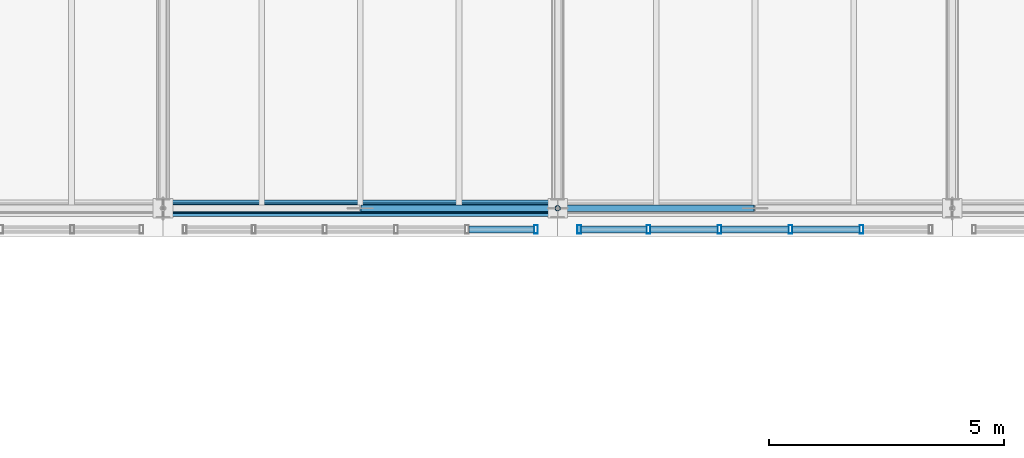
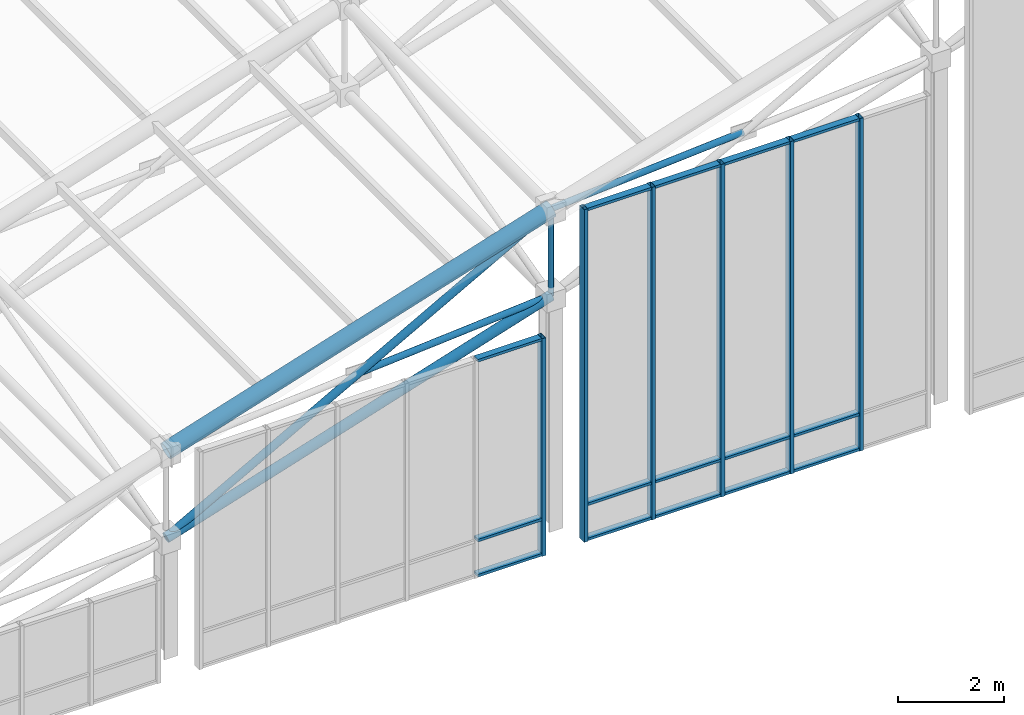
# One storey, part 17 of 144: 27 members, 2 elements without a shape of their own.
"""IFC4 building model written with IfcOpenShell, lengths in metres."""

from ifc_helpers import new_model, si_unit, direction, frame, origin, origin_2d, place, context, subcontext, project, spatial, hollow_rectangle, hollow_circle, extrude, material, layer, layer_set, material_profile, profile_set, type_object, element, aggregate, save


model = new_model("IFC4")

# Units and contexts
model_context = context("Model", 3, precision=1e-05, world=origin(), true_north=direction((0.0, 1.0)))
body_context = subcontext(model_context, "Body", "Model", "MODEL_VIEW")
ifc_project = project(units=[si_unit("LENGTHUNIT", "METRE"), si_unit("AREAUNIT", "SQUARE_METRE"), si_unit("VOLUMEUNIT", "CUBIC_METRE"), si_unit("PLANEANGLEUNIT", "RADIAN"), si_unit("MASSUNIT", "GRAM", prefix="KILO")], contexts=[model_context])

# Site, building, storey
site_placement = place(None, origin())
site = spatial("IfcSite", under=ifc_project, at=site_placement, CompositionType="ELEMENT")
building_placement = place(site_placement, origin())
building = spatial("IfcBuilding", under=site, at=building_placement, Name="Zayran Congress Hotel", CompositionType="ELEMENT")
storey_placement = place(building_placement, frame((0.0, 0.0, 19.199951171875)))
storey = spatial("IfcBuildingStorey", under=building, at=storey_placement, Name="L04", CompositionType="ELEMENT", Elevation=19.199951171875)

# Members
ifc_material_1 = material(Name="Steel S355", Category="steel")
ifc_material_profile_1 = material_profile(ifc_material_1, hollow_circle(Radius=0.177734375, WallThickness=0.01611328125, at=origin_2d()), Name="CHS 355.6x16")
ifc_profile_set_1 = profile_set([ifc_material_profile_1], Name="Steel S355")
member_type_1 = type_object("IfcMemberType", Name="TP-SF-TC1", PredefinedType="CHORD", material=ifc_profile_set_1)
member_1_placement = place(storey_placement, frame((16.800048828125, 68.199951171875, 4.652099609375), z_axis=(0.953670596398, 0.0, 0.300852777228), x_axis=(0.0, 1.0, 0.0)))
element("IfcMember", 1, at=member_1_placement, inside=storey, type_object=member_type_1, Name="Space Frame Top Chord X 60", PredefinedType="CHORD", context=body_context, shape_type="SweptSolid", body=[
    extrude(hollow_circle(Radius=0.177734375, WallThickness=0.01611328125, at=origin_2d()), origin(), (0.0, 0.0, 1.0), 8.807861328125),
])
ifc_material_profile_2 = material_profile(ifc_material_1, hollow_circle(Radius=0.109619140625, WallThickness=0.010009765625, at=origin_2d()), Name="CHS 219.1x10")
ifc_profile_set_2 = profile_set([ifc_material_profile_2], Name="Steel S355")
member_type_2 = type_object("IfcMemberType", Name="TP-SF-BC1", PredefinedType="CHORD", material=ifc_profile_set_2)
member_2_placement = place(storey_placement, frame((16.800048828125, 68.199951171875, 2.650146484375), z_axis=(0.953670596398, 0.0, 0.300852777228), x_axis=(0.0, 1.0, 0.0)))
element("IfcMember", 2, at=member_2_placement, inside=storey, type_object=member_type_2, Name="Space Frame Bottom Chord X 61", PredefinedType="CHORD", context=body_context, shape_type="SweptSolid", body=[
    extrude(hollow_circle(Radius=0.109619140625, WallThickness=0.010009765625, at=origin_2d()), origin(), (0.0, 0.0, 1.0), 8.807861328125),
])
ifc_material_profile_3 = material_profile(ifc_material_1, hollow_circle(Radius=0.084228515625, WallThickness=0.008056640625, at=origin_2d()), Name="CHS 168.3x8")
ifc_profile_set_3 = profile_set([ifc_material_profile_3], Name="Steel S355")
member_type_3 = type_object("IfcMemberType", Name="TP-SF-DG1", PredefinedType="BRACE", material=ifc_profile_set_3)
member_3_placement = place(storey_placement, frame((16.800048828125, 68.199951171875, 2.650146484375), z_axis=(0.87480892947, 0.0, 0.484468096905), x_axis=(0.0, 1.0, 0.0)))
element("IfcMember", 3, at=member_3_placement, inside=storey, type_object=member_type_3, Name="Space Frame Web Diagonal X 62", PredefinedType="BRACE", context=body_context, shape_type="SweptSolid", body=[
    extrude(hollow_circle(Radius=0.084228515625, WallThickness=0.008056640625, at=origin_2d()), origin(), (0.0, 0.0, 1.0), 9.60205078125),
])
ifc_material_profile_4 = material_profile(ifc_material_1, hollow_circle(Radius=0.06982421875, WallThickness=0.00634765625, at=origin_2d()), Name="CHS 139.7x6.3")
ifc_profile_set_4 = profile_set([ifc_material_profile_4], Name="Steel S355")
member_type_4 = type_object("IfcMemberType", Name="TP-SF-DG2", PredefinedType="BRACE", material=ifc_profile_set_4)
member_4_placement = place(storey_placement, frame((21.014892578125, 68.199951171875, 4.977294921875), z_axis=(0.997039412202, 0.0, 0.076892200614), x_axis=(0.0, 1.0, 0.0)))
element("IfcMember", 4, at=member_4_placement, inside=storey, type_object=member_type_4, Name="Space Frame Counter Diagonal X Lower 14", PredefinedType="BRACE", context=body_context, shape_type="SweptSolid", body=[
    extrude(hollow_circle(Radius=0.06982421875, WallThickness=0.00634765625, at=origin_2d()), origin(), (0.0, 0.0, 1.0), 4.197509765625),
])
member_5_placement = place(storey_placement, frame((25.199951171875, 68.199951171875, 7.302001953125), z_axis=(0.99747698019, 0.0, 0.07099066129), x_axis=(0.0, 1.0, 0.0)))
element("IfcMember", 5, at=member_5_placement, inside=storey, type_object=member_type_4, Name="Space Frame Counter Diagonal X Upper 116", PredefinedType="BRACE", context=body_context, shape_type="SweptSolid", body=[
    extrude(hollow_circle(Radius=0.06982421875, WallThickness=0.00634765625, at=origin_2d()), origin(), (0.0, 0.0, 1.0), 4.195556640625),
])
ifc_material_profile_5 = material_profile(ifc_material_1, hollow_circle(Radius=0.05712890625, WallThickness=0.00634765625, at=origin_2d()), Name="CHS 114.3x6.3")
ifc_profile_set_5 = profile_set([ifc_material_profile_5], Name="Steel S355")
member_type_5 = type_object("IfcMemberType", Name="TP-SF-DG3", PredefinedType="BRACE", material=ifc_profile_set_5)
member_6_placement = place(storey_placement, frame((25.199951171875, 68.199951171875, 5.300048828125), z_axis=(0.0, 0.0, 1.0), x_axis=(0.0, 1.0, 0.0)))
element("IfcMember", 6, at=member_6_placement, inside=storey, type_object=member_type_5, Name="Space Frame Web Strut 120", PredefinedType="BRACE", context=body_context, shape_type="SweptSolid", body=[
    extrude(hollow_circle(Radius=0.05712890625, WallThickness=0.00634765625, at=origin_2d()), origin(), (0.0, 0.0, 1.0), 2.001953125),
])

# Curtain wall, member
ifc_material_2 = material(Name="Anodised aluminium and low-E insulated glass", Category="aluminium")
ifc_layer_1 = layer(ifc_material_2, 0.179931640625)
ifc_layer_set_1 = layer_set([ifc_layer_1], Name="Anodised aluminium and low-E insulated glass")
curtain_wall_type_1 = type_object("IfcCurtainWallType", Name="CW-V1CL-L04-CW-12-7560-5020", PredefinedType="USERDEFINED", material=ifc_layer_set_1)
curtain_wall_1_placement = place(storey_placement, origin())
curtain_wall_1 = element("IfcCurtainWall", 7, at=curtain_wall_1_placement, inside=storey, type_object=curtain_wall_type_1, Name="CW-V1CLS-1", ObjectType="CURTAIN WALL", PredefinedType="USERDEFINED")
ifc_material_3 = material(Name="Anodised aluminium framing", Category="aluminium")
ifc_material_profile_6 = material_profile(ifc_material_3, hollow_rectangle(XDim=0.080078125, YDim=0.179931640625, WallThickness=0.0048828125, at=origin_2d()), Name="RHS 180x80x5")
ifc_profile_set_6 = profile_set([ifc_material_profile_6], Name="Anodised aluminium framing")
member_type_6 = type_object("IfcMemberType", Name="TP-CWM-01", PredefinedType="MULLION", material=ifc_profile_set_6)
member_7_placement = place(storey_placement, frame((24.739990234375, 67.75, -0.219970703125), z_axis=(0.0, 0.0, 1.0), x_axis=(1.0, 0.0, 0.0)))
member_7 = element("IfcMember", 8, at=member_7_placement, type_object=member_type_6, Name="CW-V1CLS-1-M05", PredefinedType="MULLION", context=body_context, shape_type="SweptSolid", body=[
    extrude(hollow_rectangle(XDim=0.080078125, YDim=0.179931640625, WallThickness=0.0048828125, at=origin_2d()), origin(), (0.0, 0.0, 1.0), 5.02001953125),
])

# Curtain wall, members
ifc_layer_2 = layer(ifc_material_2, 0.179931640625)
ifc_layer_set_2 = layer_set([ifc_layer_2], Name="Anodised aluminium and low-E insulated glass")
curtain_wall_type_2 = type_object("IfcCurtainWallType", Name="CW-V1CL-L04-CW-13-7560-7670", PredefinedType="USERDEFINED", material=ifc_layer_set_2)
curtain_wall_2_placement = place(storey_placement, origin())
curtain_wall_2 = element("IfcCurtainWall", 9, at=curtain_wall_2_placement, inside=storey, type_object=curtain_wall_type_2, Name="CW-V1CLS-2", ObjectType="CURTAIN WALL", PredefinedType="USERDEFINED")
member_8_placement = place(storey_placement, frame((25.659912109375, 67.75, -0.219970703125), z_axis=(0.0, 0.0, 1.0), x_axis=(1.0, 0.0, 0.0)))
member_8 = element("IfcMember", 10, at=member_8_placement, type_object=member_type_6, Name="CW-V1CLS-2-M00", PredefinedType="MULLION", context=body_context, shape_type="SweptSolid", body=[
    extrude(hollow_rectangle(XDim=0.080078125, YDim=0.179931640625, WallThickness=0.0048828125, at=origin_2d()), origin(), (0.0, 0.0, 1.0), 7.669921875),
])
member_9_placement = place(storey_placement, frame((27.132080078125, 67.75, -0.219970703125), z_axis=(0.0, 0.0, 1.0), x_axis=(1.0, 0.0, 0.0)))
member_9 = element("IfcMember", 11, at=member_9_placement, type_object=member_type_6, Name="CW-V1CLS-2-M01", PredefinedType="MULLION", context=body_context, shape_type="SweptSolid", body=[
    extrude(hollow_rectangle(XDim=0.080078125, YDim=0.179931640625, WallThickness=0.0048828125, at=origin_2d()), origin(), (0.0, 0.0, 1.0), 7.669921875),
])
member_10_placement = place(storey_placement, frame((28.64404296875, 67.75, -0.219970703125), z_axis=(0.0, 0.0, 1.0), x_axis=(1.0, 0.0, 0.0)))
member_10 = element("IfcMember", 12, at=member_10_placement, type_object=member_type_6, Name="CW-V1CLS-2-M02", PredefinedType="MULLION", context=body_context, shape_type="SweptSolid", body=[
    extrude(hollow_rectangle(XDim=0.080078125, YDim=0.179931640625, WallThickness=0.0048828125, at=origin_2d()), origin(), (0.0, 0.0, 1.0), 7.669921875),
])
member_11_placement = place(storey_placement, frame((30.156005859375, 67.75, -0.219970703125), z_axis=(0.0, 0.0, 1.0), x_axis=(1.0, 0.0, 0.0)))
member_11 = element("IfcMember", 13, at=member_11_placement, type_object=member_type_6, Name="CW-V1CLS-2-M03", PredefinedType="MULLION", context=body_context, shape_type="SweptSolid", body=[
    extrude(hollow_rectangle(XDim=0.080078125, YDim=0.179931640625, WallThickness=0.0048828125, at=origin_2d()), origin(), (0.0, 0.0, 1.0), 7.669921875),
])
member_12_placement = place(storey_placement, frame((31.66796875, 67.75, -0.219970703125), z_axis=(0.0, 0.0, 1.0), x_axis=(1.0, 0.0, 0.0)))
member_12 = element("IfcMember", 14, at=member_12_placement, type_object=member_type_6, Name="CW-V1CLS-2-M04", PredefinedType="MULLION", context=body_context, shape_type="SweptSolid", body=[
    extrude(hollow_rectangle(XDim=0.080078125, YDim=0.179931640625, WallThickness=0.0048828125, at=origin_2d()), origin(), (0.0, 0.0, 1.0), 7.669921875),
])

# Member
ifc_material_profile_7 = material_profile(ifc_material_3, hollow_rectangle(XDim=0.06005859375, YDim=0.14990234375, WallThickness=0.00390625, at=origin_2d()), Name="RHS 150x60x4")
ifc_profile_set_7 = profile_set([ifc_material_profile_7], Name="Anodised aluminium framing")
member_type_7 = type_object("IfcMemberType", Name="TP-CWT-01", PredefinedType="USERDEFINED", material=ifc_profile_set_7)
member_13_placement = place(storey_placement, frame((23.30810546875, 67.75, -0.18994140625), z_axis=(1.0, 0.0, 0.0), x_axis=(0.0, 0.0, 1.0)))
member_13 = element("IfcMember", 15, at=member_13_placement, type_object=member_type_7, Name="CW-V1CLS-1-T04-0", ObjectType="TRANSOM", PredefinedType="USERDEFINED", context=body_context, shape_type="SweptSolid", body=[
    extrude(hollow_rectangle(XDim=0.06005859375, YDim=0.14990234375, WallThickness=0.00390625, at=origin_2d()), origin(), (0.0, 0.0, 1.0), 1.391845703125),
])

member_14_placement = place(storey_placement, frame((23.30810546875, 67.75, 0.6201171875), z_axis=(1.0, 0.0, 0.0), x_axis=(0.0, 0.0, 1.0)))
member_14 = element("IfcMember", 16, at=member_14_placement, type_object=member_type_7, Name="CW-V1CLS-1-T04-1", ObjectType="TRANSOM", PredefinedType="USERDEFINED", context=body_context, shape_type="SweptSolid", body=[
    extrude(hollow_rectangle(XDim=0.06005859375, YDim=0.14990234375, WallThickness=0.00390625, at=origin_2d()), origin(), (0.0, 0.0, 1.0), 1.391845703125),
])

member_15_placement = place(storey_placement, frame((23.30810546875, 67.75, 4.77001953125), z_axis=(1.0, 0.0, 0.0), x_axis=(0.0, 0.0, 1.0)))
member_15 = element("IfcMember", 17, at=member_15_placement, type_object=member_type_7, Name="CW-V1CLS-1-T04-2", ObjectType="TRANSOM", PredefinedType="USERDEFINED", context=body_context, shape_type="SweptSolid", body=[
    extrude(hollow_rectangle(XDim=0.06005859375, YDim=0.14990234375, WallThickness=0.00390625, at=origin_2d()), origin(), (0.0, 0.0, 1.0), 1.391845703125),
])

aggregate(curtain_wall_1, [member_7, member_13, member_14, member_15])

member_16_placement = place(storey_placement, frame((25.699951171875, 67.75, -0.18994140625), z_axis=(1.0, 0.0, 0.0), x_axis=(0.0, 0.0, 1.0)))
member_16 = element("IfcMember", 18, at=member_16_placement, type_object=member_type_7, Name="CW-V1CLS-2-T00-0", ObjectType="TRANSOM", PredefinedType="USERDEFINED", context=body_context, shape_type="SweptSolid", body=[
    extrude(hollow_rectangle(XDim=0.06005859375, YDim=0.14990234375, WallThickness=0.00390625, at=origin_2d()), origin(), (0.0, 0.0, 1.0), 1.39208984375),
])

member_17_placement = place(storey_placement, frame((25.699951171875, 67.75, 0.6201171875), z_axis=(1.0, 0.0, 0.0), x_axis=(0.0, 0.0, 1.0)))
member_17 = element("IfcMember", 19, at=member_17_placement, type_object=member_type_7, Name="CW-V1CLS-2-T00-1", ObjectType="TRANSOM", PredefinedType="USERDEFINED", context=body_context, shape_type="SweptSolid", body=[
    extrude(hollow_rectangle(XDim=0.06005859375, YDim=0.14990234375, WallThickness=0.00390625, at=origin_2d()), origin(), (0.0, 0.0, 1.0), 1.39208984375),
])

member_18_placement = place(storey_placement, frame((25.699951171875, 67.75, 7.420166015625), z_axis=(1.0, 0.0, 0.0), x_axis=(0.0, 0.0, 1.0)))
member_18 = element("IfcMember", 20, at=member_18_placement, type_object=member_type_7, Name="CW-V1CLS-2-T00-2", ObjectType="TRANSOM", PredefinedType="USERDEFINED", context=body_context, shape_type="SweptSolid", body=[
    extrude(hollow_rectangle(XDim=0.06005859375, YDim=0.14990234375, WallThickness=0.00390625, at=origin_2d()), origin(), (0.0, 0.0, 1.0), 1.39208984375),
])

member_19_placement = place(storey_placement, frame((27.172119140625, 67.75, -0.18994140625), z_axis=(1.0, 0.0, 0.0), x_axis=(0.0, 0.0, 1.0)))
member_19 = element("IfcMember", 21, at=member_19_placement, type_object=member_type_7, Name="CW-V1CLS-2-T01-0", ObjectType="TRANSOM", PredefinedType="USERDEFINED", context=body_context, shape_type="SweptSolid", body=[
    extrude(hollow_rectangle(XDim=0.06005859375, YDim=0.14990234375, WallThickness=0.00390625, at=origin_2d()), origin(), (0.0, 0.0, 1.0), 1.431884765625),
])

member_20_placement = place(storey_placement, frame((27.172119140625, 67.75, 0.6201171875), z_axis=(1.0, 0.0, 0.0), x_axis=(0.0, 0.0, 1.0)))
member_20 = element("IfcMember", 22, at=member_20_placement, type_object=member_type_7, Name="CW-V1CLS-2-T01-1", ObjectType="TRANSOM", PredefinedType="USERDEFINED", context=body_context, shape_type="SweptSolid", body=[
    extrude(hollow_rectangle(XDim=0.06005859375, YDim=0.14990234375, WallThickness=0.00390625, at=origin_2d()), origin(), (0.0, 0.0, 1.0), 1.431884765625),
])

member_21_placement = place(storey_placement, frame((27.172119140625, 67.75, 7.420166015625), z_axis=(1.0, 0.0, 0.0), x_axis=(0.0, 0.0, 1.0)))
member_21 = element("IfcMember", 23, at=member_21_placement, type_object=member_type_7, Name="CW-V1CLS-2-T01-2", ObjectType="TRANSOM", PredefinedType="USERDEFINED", context=body_context, shape_type="SweptSolid", body=[
    extrude(hollow_rectangle(XDim=0.06005859375, YDim=0.14990234375, WallThickness=0.00390625, at=origin_2d()), origin(), (0.0, 0.0, 1.0), 1.431884765625),
])

member_22_placement = place(storey_placement, frame((28.68408203125, 67.75, -0.18994140625), z_axis=(1.0, 0.0, 0.0), x_axis=(0.0, 0.0, 1.0)))
member_22 = element("IfcMember", 24, at=member_22_placement, type_object=member_type_7, Name="CW-V1CLS-2-T02-0", ObjectType="TRANSOM", PredefinedType="USERDEFINED", context=body_context, shape_type="SweptSolid", body=[
    extrude(hollow_rectangle(XDim=0.06005859375, YDim=0.14990234375, WallThickness=0.00390625, at=origin_2d()), origin(), (0.0, 0.0, 1.0), 1.431884765625),
])

member_23_placement = place(storey_placement, frame((28.68408203125, 67.75, 0.6201171875), z_axis=(1.0, 0.0, 0.0), x_axis=(0.0, 0.0, 1.0)))
member_23 = element("IfcMember", 25, at=member_23_placement, type_object=member_type_7, Name="CW-V1CLS-2-T02-1", ObjectType="TRANSOM", PredefinedType="USERDEFINED", context=body_context, shape_type="SweptSolid", body=[
    extrude(hollow_rectangle(XDim=0.06005859375, YDim=0.14990234375, WallThickness=0.00390625, at=origin_2d()), origin(), (0.0, 0.0, 1.0), 1.431884765625),
])

member_24_placement = place(storey_placement, frame((28.68408203125, 67.75, 7.420166015625), z_axis=(1.0, 0.0, 0.0), x_axis=(0.0, 0.0, 1.0)))
member_24 = element("IfcMember", 26, at=member_24_placement, type_object=member_type_7, Name="CW-V1CLS-2-T02-2", ObjectType="TRANSOM", PredefinedType="USERDEFINED", context=body_context, shape_type="SweptSolid", body=[
    extrude(hollow_rectangle(XDim=0.06005859375, YDim=0.14990234375, WallThickness=0.00390625, at=origin_2d()), origin(), (0.0, 0.0, 1.0), 1.431884765625),
])

member_25_placement = place(storey_placement, frame((30.196044921875, 67.75, -0.18994140625), z_axis=(1.0, 0.0, 0.0), x_axis=(0.0, 0.0, 1.0)))
member_25 = element("IfcMember", 27, at=member_25_placement, type_object=member_type_7, Name="CW-V1CLS-2-T03-0", ObjectType="TRANSOM", PredefinedType="USERDEFINED", context=body_context, shape_type="SweptSolid", body=[
    extrude(hollow_rectangle(XDim=0.06005859375, YDim=0.14990234375, WallThickness=0.00390625, at=origin_2d()), origin(), (0.0, 0.0, 1.0), 1.431884765625),
])

member_26_placement = place(storey_placement, frame((30.196044921875, 67.75, 0.6201171875), z_axis=(1.0, 0.0, 0.0), x_axis=(0.0, 0.0, 1.0)))
member_26 = element("IfcMember", 28, at=member_26_placement, type_object=member_type_7, Name="CW-V1CLS-2-T03-1", ObjectType="TRANSOM", PredefinedType="USERDEFINED", context=body_context, shape_type="SweptSolid", body=[
    extrude(hollow_rectangle(XDim=0.06005859375, YDim=0.14990234375, WallThickness=0.00390625, at=origin_2d()), origin(), (0.0, 0.0, 1.0), 1.431884765625),
])

member_27_placement = place(storey_placement, frame((30.196044921875, 67.75, 7.420166015625), z_axis=(1.0, 0.0, 0.0), x_axis=(0.0, 0.0, 1.0)))
member_27 = element("IfcMember", 29, at=member_27_placement, type_object=member_type_7, Name="CW-V1CLS-2-T03-2", ObjectType="TRANSOM", PredefinedType="USERDEFINED", context=body_context, shape_type="SweptSolid", body=[
    extrude(hollow_rectangle(XDim=0.06005859375, YDim=0.14990234375, WallThickness=0.00390625, at=origin_2d()), origin(), (0.0, 0.0, 1.0), 1.431884765625),
])

aggregate(curtain_wall_2, [member_8, member_9, member_10, member_11, member_12, member_16, member_17, member_18, member_19, member_20, member_21, member_22, member_23, member_24, member_25, member_26, member_27])

save(model, "model.ifc")
